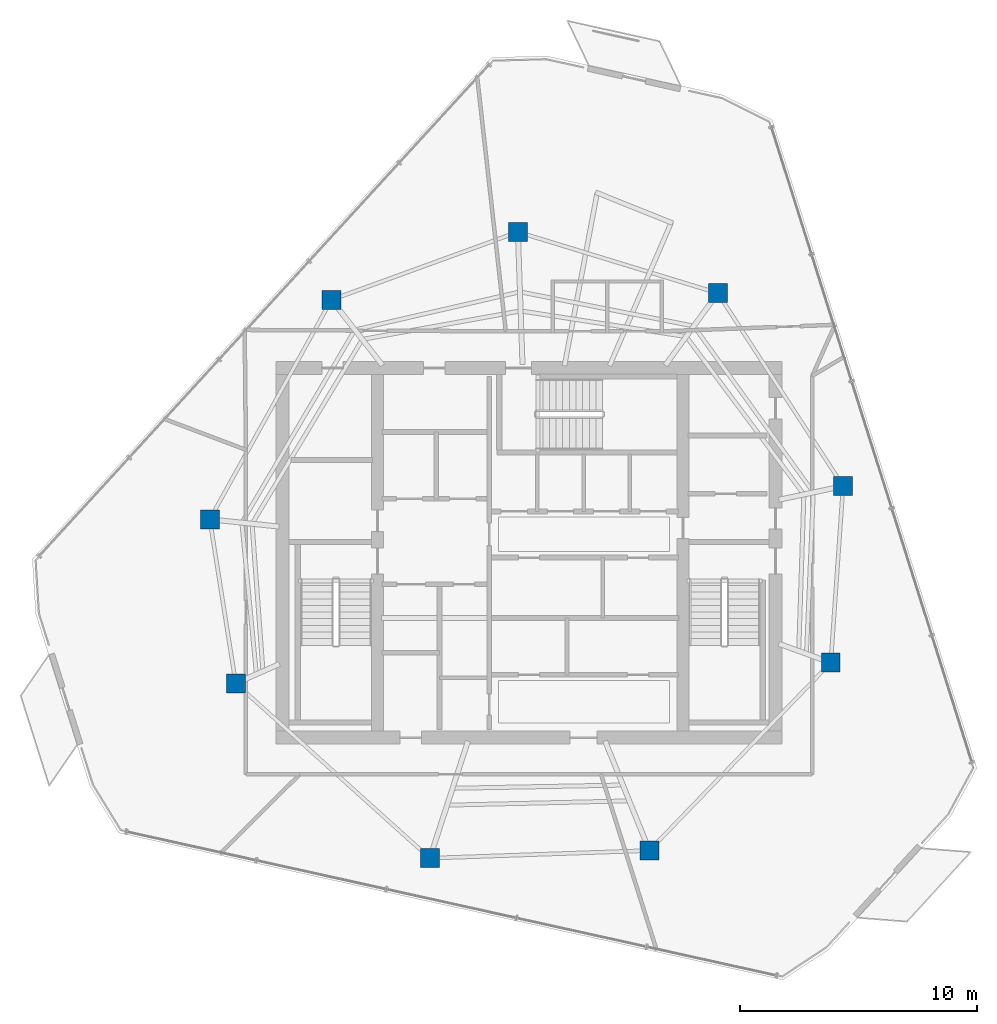
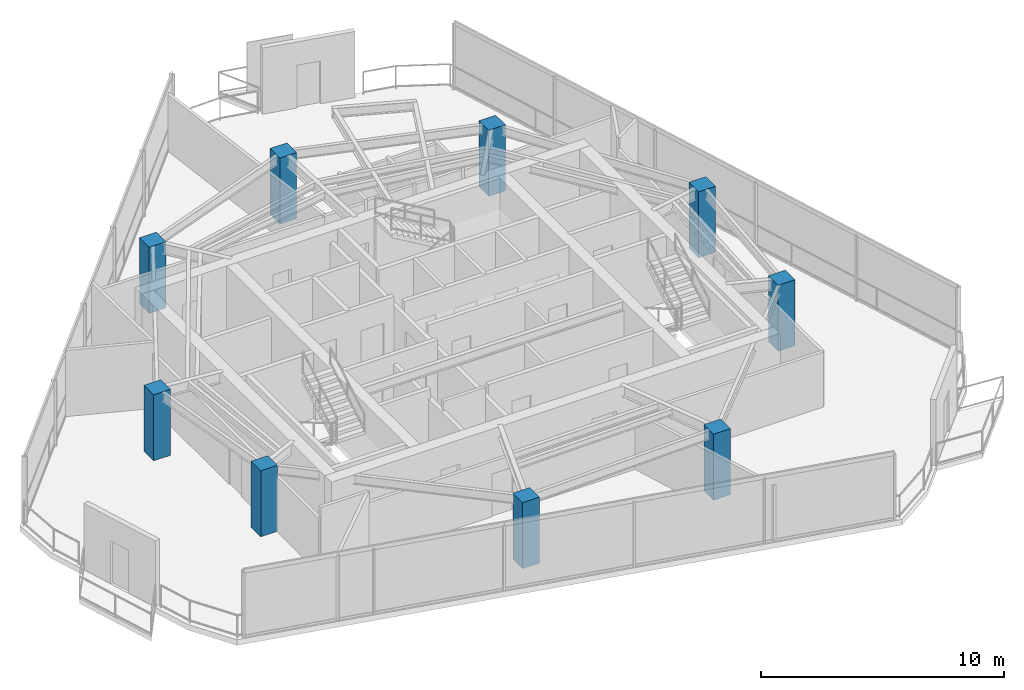
# One storey, part 1 of 18: 9 columns.
"""IFC4 building model written with IfcOpenShell, lengths in metres."""

from ifc_helpers import new_model, si_unit, direction, frame, origin, origin_2d, place, context, subcontext, project, spatial, rectangle, extrude, material, material_profile, profile_set, type_object, element, save


model = new_model("IFC4")

# Units and contexts
model_context = context("Model", 3, precision=1e-05, world=origin(), true_north=direction((0.0, 1.0)))
body_context = subcontext(model_context, "Body", "Model", "MODEL_VIEW")
ifc_project = project(units=[si_unit("LENGTHUNIT", "METRE"), si_unit("AREAUNIT", "SQUARE_METRE"), si_unit("VOLUMEUNIT", "CUBIC_METRE"), si_unit("PLANEANGLEUNIT", "RADIAN"), si_unit("MASSUNIT", "GRAM", prefix="KILO")], contexts=[model_context])

# Site, building, storey
site_placement = place(None, origin())
site = spatial("IfcSite", under=ifc_project, at=site_placement, CompositionType="ELEMENT")
building_placement = place(site_placement, origin())
building = spatial("IfcBuilding", under=site, at=building_placement, Name="Qarnah Convention Tower", CompositionType="ELEMENT")
storey_placement = place(building_placement, frame((0.0, 0.0, 246.300048828125)))
storey = spatial("IfcBuildingStorey", under=building, at=storey_placement, Name="L66", CompositionType="ELEMENT", Elevation=246.300048828125)

# Columns
ifc_material = material(Name="Concrete C50/60", Category="concrete")
ifc_material_profile = material_profile(ifc_material, rectangle(XDim=0.800048828125, YDim=0.800048828125, at=origin_2d()), Name="RC-COL-800X800")
ifc_profile_set = profile_set([ifc_material_profile], Name="Concrete C50/60")
column_type = type_object("IfcColumnType", Name="COL-Z5-800", PredefinedType="COLUMN", material=ifc_profile_set)
for number, where, z_axis, x_axis, name in (
    (1, (50.4541015625, 29.217041015625, 0.0), (0.0, 0.0, 1.0), (1.0, 0.0, 0.0), "L66 plumb column PC-Z5-01"),
    (2, (45.1640625, 37.362060546875, 0.0), (0.0, 0.0, 1.0), (1.0, 0.0, 0.0), "L66 plumb column PC-Z5-02"),
    (3, (36.72705078125, 39.94189453125, 0.0), (0.0, 0.0, 1.0), (1.0, 0.0, 0.0), "L66 plumb column PC-Z5-03"),
    (4, (28.85791015625, 37.077880859375, 0.0), (0.0, 0.0, 1.0), (1.0, 0.0, 0.0), "L66 plumb column PC-Z5-04"),
    (5, (23.72412109375, 27.81591796875, 0.0), (0.0, 0.0, 1.0), (1.0, 0.0, 0.0), "L66 plumb column PC-Z5-05"),
    (6, (24.821044921875, 20.888916015625, 0.0), (0.0, 0.0, 1.0), (1.0, 0.0, 0.0), "L66 plumb column PC-Z5-06"),
    (7, (33.012939453125, 13.512939453125, 0.0), (0.0, 0.0, 1.0), (1.0, 0.0, 0.0), "L66 plumb column PC-Z5-07"),
    (8, (42.27587890625, 13.8369140625, 0.0), (0.0, 0.0, 1.0), (1.0, 0.0, 0.0), "L66 plumb column PC-Z5-08"),
    (9, (49.93310546875, 21.76611328125, 0.0), (0.0, 0.0, 1.0), (1.0, 0.0, 0.0), "L66 plumb column PC-Z5-09"),
):
    element("IfcColumn", number, at=place(storey_placement, frame(where, z_axis=z_axis, x_axis=x_axis)), inside=storey, type_object=column_type, Name=name, PredefinedType="COLUMN", context=body_context, shape_type="SweptSolid", body=[
        extrude(rectangle(XDim=0.800048828125, YDim=0.800048828125, at=origin_2d()), origin(), (0.0, 0.0, 1.0), 3.320068359375),
    ])

save(model, "model.ifc")
